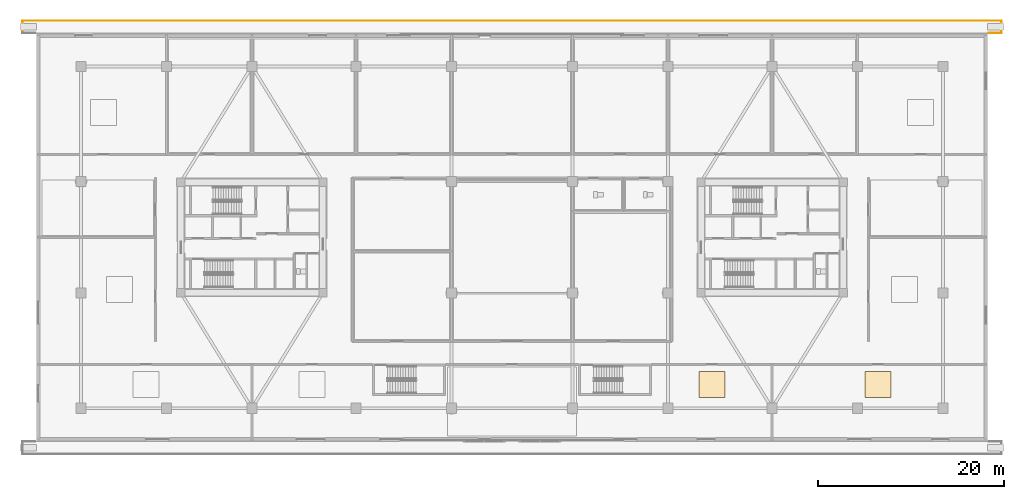
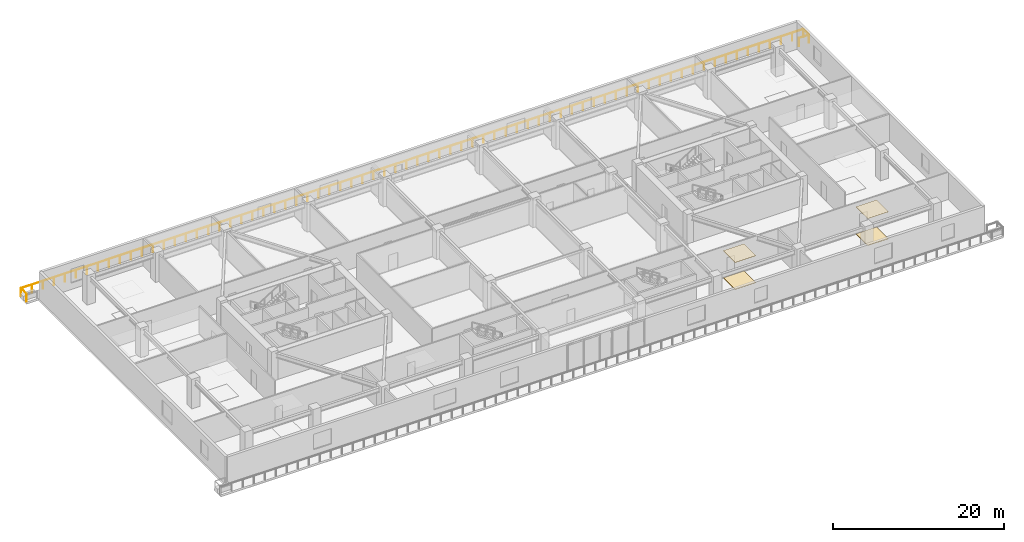
# One storey, part 19 of 23: 4 coverings, 1 railing.
"""IFC4 building model written with IfcOpenShell, lengths in metres."""

from ifc_helpers import new_model, si_unit, direction, frame, origin, origin_2d, place, context, subcontext, project, spatial, polyline, rectangle, outline, extrude, material, layer, layer_set, type_object, element, save


model = new_model("IFC4")

# Units and contexts
model_context = context("Model", 3, precision=1e-05, world=origin(), true_north=direction((0.0, 1.0)))
body_context = subcontext(model_context, "Body", "Model", "MODEL_VIEW")
ifc_project = project(units=[si_unit("LENGTHUNIT", "METRE"), si_unit("AREAUNIT", "SQUARE_METRE"), si_unit("VOLUMEUNIT", "CUBIC_METRE"), si_unit("PLANEANGLEUNIT", "RADIAN"), si_unit("MASSUNIT", "GRAM", prefix="KILO")], contexts=[model_context])

# Site, building, storey
site_placement = place(None, origin())
site = spatial("IfcSite", under=ifc_project, at=site_placement, CompositionType="ELEMENT")
building_placement = place(site_placement, origin())
building = spatial("IfcBuilding", under=site, at=building_placement, Name="Norrkilde Senior Care Towers", CompositionType="ELEMENT")
storey_placement = place(building_placement, frame((0.0, 0.0, 8.39990234375)))
storey = spatial("IfcBuildingStorey", under=building, at=storey_placement, Name="L02", CompositionType="ELEMENT", Elevation=8.39990234375)

# Covering
ifc_material_1 = material(Name="Nordic Ash Timber", Category="wood")
ifc_layer_1 = layer(ifc_material_1, 0.044921875)
ifc_layer_set_1 = layer_set([ifc_layer_1], Name="Nordic Ash Timber")
covering_type_1 = type_object("IfcCoveringType", Name="Acoustic Ash Timber Slatted Ceiling 45", PredefinedType="CEILING", material=ifc_layer_set_1)
covering_1_placement = place(storey_placement, frame((0.0, 0.0, 3.835205078125)))
element("IfcCovering", 1, at=covering_1_placement, inside=storey, type_object=covering_type_1, Name="L02 Suspended Ceiling 0068", PredefinedType="CEILING", context=body_context, shape_type="SweptSolid", body=[
    extrude(outline(polyline([(20.125, -17.2548828125), (20.125, -14.455078125), (22.925048828125, -14.455078125), (22.925048828125, -17.2548828125), (20.125, -17.2548828125)])), origin(), (0.0, 0.0, 1.0), 0.044921875),
])

# Railing
ifc_material_2 = material(Name="Anodised Aluminium", Category="aluminium")
railing_type = type_object("IfcRailingType", Name="Balcony Swirl Ribbon Guardrail 1150", PredefinedType="GUARDRAIL", material=ifc_material_2)
railing_placement = place(storey_placement, frame((-52.719970703125, 21.985107421875, 0.0)))
element("IfcRailing", 2, at=railing_placement, inside=storey, type_object=railing_type, Name="L02 Perimeter Safety Guard 03", PredefinedType="GUARDRAIL", context=body_context, shape_type="SweptSolid", body=[
    extrude(rectangle(XDim=0.048095703125, YDim=0.048095703125, at=origin_2d()), frame((0.0, 0.0, 1.1259765625), z_axis=(0.0, 1.0, 0.0), x_axis=(-1.0, 0.0, 0.0)), (0.0, 0.0, 1.0), 1.294189453125),
    extrude(rectangle(XDim=0.048095703125, YDim=0.048095703125, at=origin_2d()), frame((0.040771484375, 1.3349609375, 1.1259765625), z_axis=(1.0, 0.0, 0.0), x_axis=(0.0, 1.0, 0.0)), (0.0, 0.0, 1.0), 105.358154296875),
    extrude(rectangle(XDim=0.048095703125, YDim=0.048095703125, at=origin_2d()), frame((105.43994140625, 1.294189453125, 1.1259765625), z_axis=(0.0, -1.0, 0.0), x_axis=(1.0, 0.0, 0.0)), (0.0, 0.0, 1.0), 1.253173828125),
    extrude(rectangle(XDim=0.048095703125, YDim=0.048095703125, at=origin_2d()), frame((105.399169921875, 0.0, 1.1259765625), z_axis=(-1.0, 0.0, 0.0), x_axis=(0.0, -1.0, 0.0)), (0.0, 0.0, 1.0), 1.320556640625),
    extrude(rectangle(XDim=0.0419921875, YDim=0.0419921875, at=origin_2d()), origin(), (0.0, 0.0, 1.0), 1.099853515625),
    extrude(rectangle(XDim=0.0419921875, YDim=0.0419921875, at=origin_2d()), frame((0.0, 1.3349609375, 0.0)), (0.0, 0.0, 1.0), 1.099853515625),
    extrude(rectangle(XDim=0.0419921875, YDim=0.0419921875, at=origin_2d()), frame((1.485107421875, 1.3349609375, 0.0)), (0.0, 0.0, 1.0), 1.099853515625),
    extrude(rectangle(XDim=0.0419921875, YDim=0.0419921875, at=origin_2d()), frame((2.97021484375, 1.3349609375, 0.0)), (0.0, 0.0, 1.0), 1.099853515625),
    extrude(rectangle(XDim=0.0419921875, YDim=0.0419921875, at=origin_2d()), frame((4.455322265625, 1.3349609375, 0.0)), (0.0, 0.0, 1.0), 1.099853515625),
    extrude(rectangle(XDim=0.0419921875, YDim=0.0419921875, at=origin_2d()), frame((5.940185546875, 1.3349609375, 0.0)), (0.0, 0.0, 1.0), 1.099853515625),
    extrude(rectangle(XDim=0.0419921875, YDim=0.0419921875, at=origin_2d()), frame((7.42529296875, 1.3349609375, 0.0)), (0.0, 0.0, 1.0), 1.099853515625),
    extrude(rectangle(XDim=0.0419921875, YDim=0.0419921875, at=origin_2d()), frame((8.910400390625, 1.3349609375, 0.0)), (0.0, 0.0, 1.0), 1.099853515625),
    extrude(rectangle(XDim=0.0419921875, YDim=0.0419921875, at=origin_2d()), frame((10.3955078125, 1.3349609375, 0.0)), (0.0, 0.0, 1.0), 1.099853515625),
    extrude(rectangle(XDim=0.0419921875, YDim=0.0419921875, at=origin_2d()), frame((11.880615234375, 1.3349609375, 0.0)), (0.0, 0.0, 1.0), 1.099853515625),
    extrude(rectangle(XDim=0.0419921875, YDim=0.0419921875, at=origin_2d()), frame((13.36572265625, 1.3349609375, 0.0)), (0.0, 0.0, 1.0), 1.099853515625),
    extrude(rectangle(XDim=0.0419921875, YDim=0.0419921875, at=origin_2d()), frame((14.8505859375, 1.3349609375, 0.0)), (0.0, 0.0, 1.0), 1.099853515625),
    extrude(rectangle(XDim=0.0419921875, YDim=0.0419921875, at=origin_2d()), frame((16.335693359375, 1.3349609375, 0.0)), (0.0, 0.0, 1.0), 1.099853515625),
    extrude(rectangle(XDim=0.0419921875, YDim=0.0419921875, at=origin_2d()), frame((17.82080078125, 1.3349609375, 0.0)), (0.0, 0.0, 1.0), 1.099853515625),
    extrude(rectangle(XDim=0.0419921875, YDim=0.0419921875, at=origin_2d()), frame((19.305908203125, 1.3349609375, 0.0)), (0.0, 0.0, 1.0), 1.099853515625),
    extrude(rectangle(XDim=0.0419921875, YDim=0.0419921875, at=origin_2d()), frame((20.791015625, 1.3349609375, 0.0)), (0.0, 0.0, 1.0), 1.099853515625),
    extrude(rectangle(XDim=0.0419921875, YDim=0.0419921875, at=origin_2d()), frame((22.276123046875, 1.3349609375, 0.0)), (0.0, 0.0, 1.0), 1.099853515625),
    extrude(rectangle(XDim=0.0419921875, YDim=0.0419921875, at=origin_2d()), frame((23.76123046875, 1.3349609375, 0.0)), (0.0, 0.0, 1.0), 1.099853515625),
    extrude(rectangle(XDim=0.0419921875, YDim=0.0419921875, at=origin_2d()), frame((25.24609375, 1.3349609375, 0.0)), (0.0, 0.0, 1.0), 1.099853515625),
    extrude(rectangle(XDim=0.0419921875, YDim=0.0419921875, at=origin_2d()), frame((26.731201171875, 1.3349609375, 0.0)), (0.0, 0.0, 1.0), 1.099853515625),
    extrude(rectangle(XDim=0.0419921875, YDim=0.0419921875, at=origin_2d()), frame((28.21630859375, 1.3349609375, 0.0)), (0.0, 0.0, 1.0), 1.099853515625),
    extrude(rectangle(XDim=0.0419921875, YDim=0.0419921875, at=origin_2d()), frame((29.701416015625, 1.3349609375, 0.0)), (0.0, 0.0, 1.0), 1.099853515625),
    extrude(rectangle(XDim=0.0419921875, YDim=0.0419921875, at=origin_2d()), frame((31.1865234375, 1.3349609375, 0.0)), (0.0, 0.0, 1.0), 1.099853515625),
    extrude(rectangle(XDim=0.0419921875, YDim=0.0419921875, at=origin_2d()), frame((32.671630859375, 1.3349609375, 0.0)), (0.0, 0.0, 1.0), 1.099853515625),
    extrude(rectangle(XDim=0.0419921875, YDim=0.0419921875, at=origin_2d()), frame((34.156494140625, 1.3349609375, 0.0)), (0.0, 0.0, 1.0), 1.099853515625),
    extrude(rectangle(XDim=0.0419921875, YDim=0.0419921875, at=origin_2d()), frame((35.6416015625, 1.3349609375, 0.0)), (0.0, 0.0, 1.0), 1.099853515625),
    extrude(rectangle(XDim=0.0419921875, YDim=0.0419921875, at=origin_2d()), frame((37.126708984375, 1.3349609375, 0.0)), (0.0, 0.0, 1.0), 1.099853515625),
    extrude(rectangle(XDim=0.0419921875, YDim=0.0419921875, at=origin_2d()), frame((38.61181640625, 1.3349609375, 0.0)), (0.0, 0.0, 1.0), 1.099853515625),
    extrude(rectangle(XDim=0.0419921875, YDim=0.0419921875, at=origin_2d()), frame((40.096923828125, 1.3349609375, 0.0)), (0.0, 0.0, 1.0), 1.099853515625),
    extrude(rectangle(XDim=0.0419921875, YDim=0.0419921875, at=origin_2d()), frame((41.58203125, 1.3349609375, 0.0)), (0.0, 0.0, 1.0), 1.099853515625),
    extrude(rectangle(XDim=0.0419921875, YDim=0.0419921875, at=origin_2d()), frame((43.067138671875, 1.3349609375, 0.0)), (0.0, 0.0, 1.0), 1.099853515625),
    extrude(rectangle(XDim=0.0419921875, YDim=0.0419921875, at=origin_2d()), frame((44.552001953125, 1.3349609375, 0.0)), (0.0, 0.0, 1.0), 1.099853515625),
    extrude(rectangle(XDim=0.0419921875, YDim=0.0419921875, at=origin_2d()), frame((46.037109375, 1.3349609375, 0.0)), (0.0, 0.0, 1.0), 1.099853515625),
    extrude(rectangle(XDim=0.0419921875, YDim=0.0419921875, at=origin_2d()), frame((47.522216796875, 1.3349609375, 0.0)), (0.0, 0.0, 1.0), 1.099853515625),
    extrude(rectangle(XDim=0.0419921875, YDim=0.0419921875, at=origin_2d()), frame((49.00732421875, 1.3349609375, 0.0)), (0.0, 0.0, 1.0), 1.099853515625),
    extrude(rectangle(XDim=0.0419921875, YDim=0.0419921875, at=origin_2d()), frame((50.492431640625, 1.3349609375, 0.0)), (0.0, 0.0, 1.0), 1.099853515625),
    extrude(rectangle(XDim=0.0419921875, YDim=0.0419921875, at=origin_2d()), frame((51.9775390625, 1.3349609375, 0.0)), (0.0, 0.0, 1.0), 1.099853515625),
    extrude(rectangle(XDim=0.0419921875, YDim=0.0419921875, at=origin_2d()), frame((53.46240234375, 1.3349609375, 0.0)), (0.0, 0.0, 1.0), 1.099853515625),
    extrude(rectangle(XDim=0.0419921875, YDim=0.0419921875, at=origin_2d()), frame((54.947509765625, 1.3349609375, 0.0)), (0.0, 0.0, 1.0), 1.099853515625),
    extrude(rectangle(XDim=0.0419921875, YDim=0.0419921875, at=origin_2d()), frame((56.4326171875, 1.3349609375, 0.0)), (0.0, 0.0, 1.0), 1.099853515625),
    extrude(rectangle(XDim=0.0419921875, YDim=0.0419921875, at=origin_2d()), frame((57.917724609375, 1.3349609375, 0.0)), (0.0, 0.0, 1.0), 1.099853515625),
    extrude(rectangle(XDim=0.0419921875, YDim=0.0419921875, at=origin_2d()), frame((59.40283203125, 1.3349609375, 0.0)), (0.0, 0.0, 1.0), 1.099853515625),
    extrude(rectangle(XDim=0.0419921875, YDim=0.0419921875, at=origin_2d()), frame((60.887939453125, 1.3349609375, 0.0)), (0.0, 0.0, 1.0), 1.099853515625),
    extrude(rectangle(XDim=0.0419921875, YDim=0.0419921875, at=origin_2d()), frame((62.372802734375, 1.3349609375, 0.0)), (0.0, 0.0, 1.0), 1.099853515625),
    extrude(rectangle(XDim=0.0419921875, YDim=0.0419921875, at=origin_2d()), frame((63.85791015625, 1.3349609375, 0.0)), (0.0, 0.0, 1.0), 1.099853515625),
    extrude(rectangle(XDim=0.0419921875, YDim=0.0419921875, at=origin_2d()), frame((65.343017578125, 1.3349609375, 0.0)), (0.0, 0.0, 1.0), 1.099853515625),
    extrude(rectangle(XDim=0.0419921875, YDim=0.0419921875, at=origin_2d()), frame((66.828125, 1.3349609375, 0.0)), (0.0, 0.0, 1.0), 1.099853515625),
    extrude(rectangle(XDim=0.0419921875, YDim=0.0419921875, at=origin_2d()), frame((68.313232421875, 1.3349609375, 0.0)), (0.0, 0.0, 1.0), 1.099853515625),
    extrude(rectangle(XDim=0.0419921875, YDim=0.0419921875, at=origin_2d()), frame((69.79833984375, 1.3349609375, 0.0)), (0.0, 0.0, 1.0), 1.099853515625),
    extrude(rectangle(XDim=0.0419921875, YDim=0.0419921875, at=origin_2d()), frame((71.283447265625, 1.3349609375, 0.0)), (0.0, 0.0, 1.0), 1.099853515625),
    extrude(rectangle(XDim=0.0419921875, YDim=0.0419921875, at=origin_2d()), frame((72.768310546875, 1.3349609375, 0.0)), (0.0, 0.0, 1.0), 1.099853515625),
    extrude(rectangle(XDim=0.0419921875, YDim=0.0419921875, at=origin_2d()), frame((74.25341796875, 1.3349609375, 0.0)), (0.0, 0.0, 1.0), 1.099853515625),
    extrude(rectangle(XDim=0.0419921875, YDim=0.0419921875, at=origin_2d()), frame((75.738525390625, 1.3349609375, 0.0)), (0.0, 0.0, 1.0), 1.099853515625),
    extrude(rectangle(XDim=0.0419921875, YDim=0.0419921875, at=origin_2d()), frame((77.2236328125, 1.3349609375, 0.0)), (0.0, 0.0, 1.0), 1.099853515625),
    extrude(rectangle(XDim=0.0419921875, YDim=0.0419921875, at=origin_2d()), frame((78.708740234375, 1.3349609375, 0.0)), (0.0, 0.0, 1.0), 1.099853515625),
    extrude(rectangle(XDim=0.0419921875, YDim=0.0419921875, at=origin_2d()), frame((80.19384765625, 1.3349609375, 0.0)), (0.0, 0.0, 1.0), 1.099853515625),
    extrude(rectangle(XDim=0.0419921875, YDim=0.0419921875, at=origin_2d()), frame((81.6787109375, 1.3349609375, 0.0)), (0.0, 0.0, 1.0), 1.099853515625),
    extrude(rectangle(XDim=0.0419921875, YDim=0.0419921875, at=origin_2d()), frame((83.163818359375, 1.3349609375, 0.0)), (0.0, 0.0, 1.0), 1.099853515625),
    extrude(rectangle(XDim=0.0419921875, YDim=0.0419921875, at=origin_2d()), frame((84.64892578125, 1.3349609375, 0.0)), (0.0, 0.0, 1.0), 1.099853515625),
    extrude(rectangle(XDim=0.0419921875, YDim=0.0419921875, at=origin_2d()), frame((86.134033203125, 1.3349609375, 0.0)), (0.0, 0.0, 1.0), 1.099853515625),
    extrude(rectangle(XDim=0.0419921875, YDim=0.0419921875, at=origin_2d()), frame((87.619140625, 1.3349609375, 0.0)), (0.0, 0.0, 1.0), 1.099853515625),
    extrude(rectangle(XDim=0.0419921875, YDim=0.0419921875, at=origin_2d()), frame((89.104248046875, 1.3349609375, 0.0)), (0.0, 0.0, 1.0), 1.099853515625),
    extrude(rectangle(XDim=0.0419921875, YDim=0.0419921875, at=origin_2d()), frame((90.58935546875, 1.3349609375, 0.0)), (0.0, 0.0, 1.0), 1.099853515625),
    extrude(rectangle(XDim=0.0419921875, YDim=0.0419921875, at=origin_2d()), frame((92.07421875, 1.3349609375, 0.0)), (0.0, 0.0, 1.0), 1.099853515625),
    extrude(rectangle(XDim=0.0419921875, YDim=0.0419921875, at=origin_2d()), frame((93.559326171875, 1.3349609375, 0.0)), (0.0, 0.0, 1.0), 1.099853515625),
    extrude(rectangle(XDim=0.0419921875, YDim=0.0419921875, at=origin_2d()), frame((95.04443359375, 1.3349609375, 0.0)), (0.0, 0.0, 1.0), 1.099853515625),
    extrude(rectangle(XDim=0.0419921875, YDim=0.0419921875, at=origin_2d()), frame((96.529541015625, 1.3349609375, 0.0)), (0.0, 0.0, 1.0), 1.099853515625),
    extrude(rectangle(XDim=0.0419921875, YDim=0.0419921875, at=origin_2d()), frame((98.0146484375, 1.3349609375, 0.0)), (0.0, 0.0, 1.0), 1.099853515625),
    extrude(rectangle(XDim=0.0419921875, YDim=0.0419921875, at=origin_2d()), frame((99.499755859375, 1.3349609375, 0.0)), (0.0, 0.0, 1.0), 1.099853515625),
    extrude(rectangle(XDim=0.0419921875, YDim=0.0419921875, at=origin_2d()), frame((100.984619140625, 1.3349609375, 0.0)), (0.0, 0.0, 1.0), 1.099853515625),
    extrude(rectangle(XDim=0.0419921875, YDim=0.0419921875, at=origin_2d()), frame((102.4697265625, 1.3349609375, 0.0)), (0.0, 0.0, 1.0), 1.099853515625),
    extrude(rectangle(XDim=0.0419921875, YDim=0.0419921875, at=origin_2d()), frame((103.954833984375, 1.3349609375, 0.0)), (0.0, 0.0, 1.0), 1.099853515625),
    extrude(rectangle(XDim=0.0419921875, YDim=0.0419921875, at=origin_2d()), frame((105.43994140625, 1.3349609375, 0.0)), (0.0, 0.0, 1.0), 1.099853515625),
    extrude(rectangle(XDim=0.0419921875, YDim=0.0419921875, at=origin_2d()), frame((105.43994140625, 0.0, 0.0)), (0.0, 0.0, 1.0), 1.099853515625),
    extrude(rectangle(XDim=0.0419921875, YDim=0.0419921875, at=origin_2d()), frame((104.07861328125, 0.0, 0.0)), (0.0, 0.0, 1.0), 1.099853515625),
])

# Coverings
ifc_material_3 = material(Name="Gypsum Acoustic Board")
ifc_layer_2 = layer(ifc_material_3, 0.030029296875)
ifc_layer_set_2 = layer_set([ifc_layer_2], Name="Gypsum Acoustic Board")
covering_type_2 = type_object("IfcCoveringType", Name="Medical Cleanable Gypsum Ceiling 30", PredefinedType="CEILING", material=ifc_layer_set_2)
covering_2_placement = place(storey_placement, frame((0.0, 0.0, 3.85009765625)))
element("IfcCovering", 3, at=covering_2_placement, inside=storey, type_object=covering_type_2, Name="L02 Suspended Ceiling 0069", PredefinedType="CEILING", context=body_context, shape_type="SweptSolid", body=[
    extrude(outline(polyline([(38.0, -17.2548828125), (38.0, -14.455078125), (40.800048828125, -14.455078125), (40.800048828125, -17.2548828125), (38.0, -17.2548828125)])), origin(), (0.0, 0.0, 1.0), 0.030029296875),
])
ifc_material_4 = material(Name="Slip-Resistant Porcelain Stone", Category="masonry")
ifc_layer_3 = layer(ifc_material_4, 0.02490234375)
ifc_layer_set_3 = layer_set([ifc_layer_3], Name="Slip-Resistant Porcelain Stone")
covering_type_3 = type_object("IfcCoveringType", Name="Slip-Resistant Porcelain Flooring 25", PredefinedType="FLOORING", material=ifc_layer_set_3)
covering_3_placement = place(storey_placement, origin())
element("IfcCovering", 4, at=covering_3_placement, inside=storey, type_object=covering_type_3, Name="L02 Floor Finish 0068", PredefinedType="FLOORING", context=body_context, shape_type="SweptSolid", body=[
    extrude(outline(polyline([(20.125, -17.2548828125), (20.125, -14.455078125), (22.925048828125, -14.455078125), (22.925048828125, -17.2548828125), (20.125, -17.2548828125)])), origin(), (0.0, 0.0, 1.0), 0.025146484375),
])
covering_4_placement = place(storey_placement, origin())
element("IfcCovering", 5, at=covering_4_placement, inside=storey, type_object=covering_type_3, Name="L02 Floor Finish 0069", PredefinedType="FLOORING", context=body_context, shape_type="SweptSolid", body=[
    extrude(outline(polyline([(38.0, -17.2548828125), (38.0, -14.455078125), (40.800048828125, -14.455078125), (40.800048828125, -17.2548828125), (38.0, -17.2548828125)])), origin(), (0.0, 0.0, 1.0), 0.025146484375),
])

save(model, "model.ifc")
